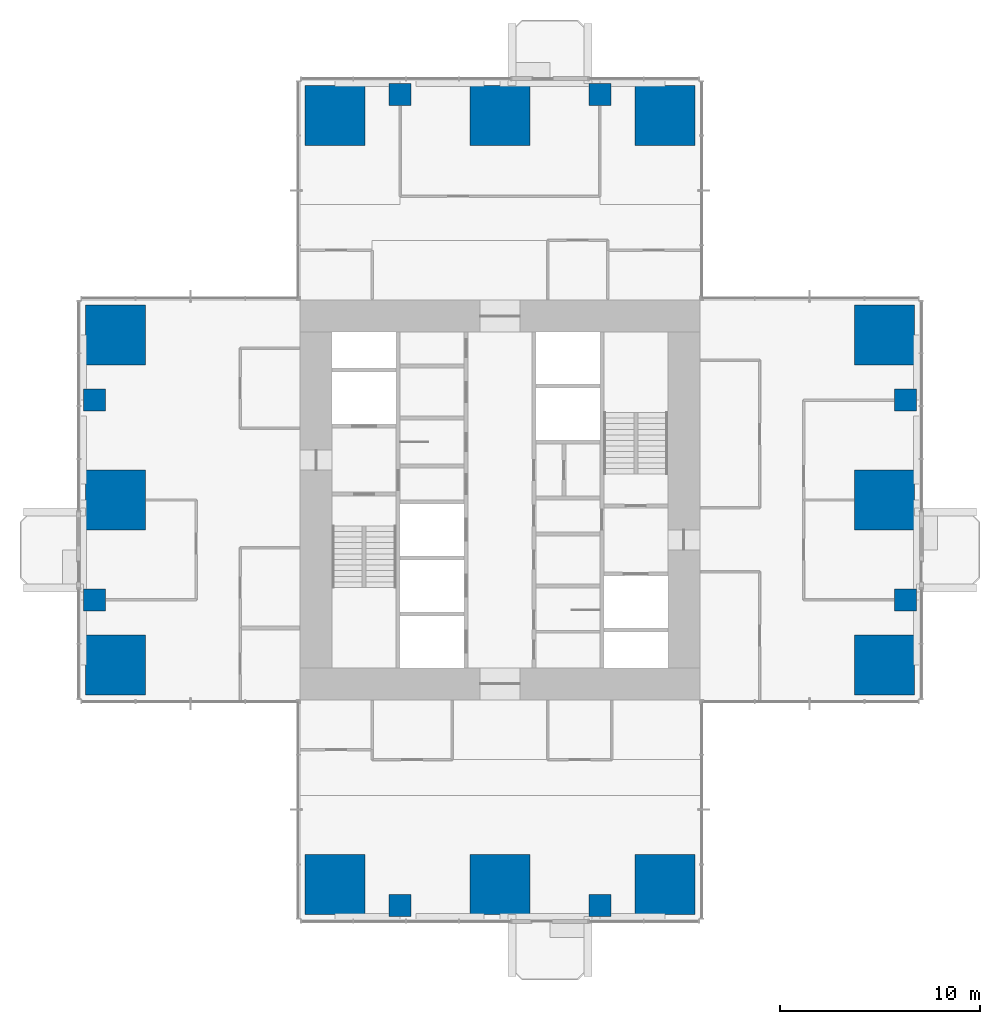
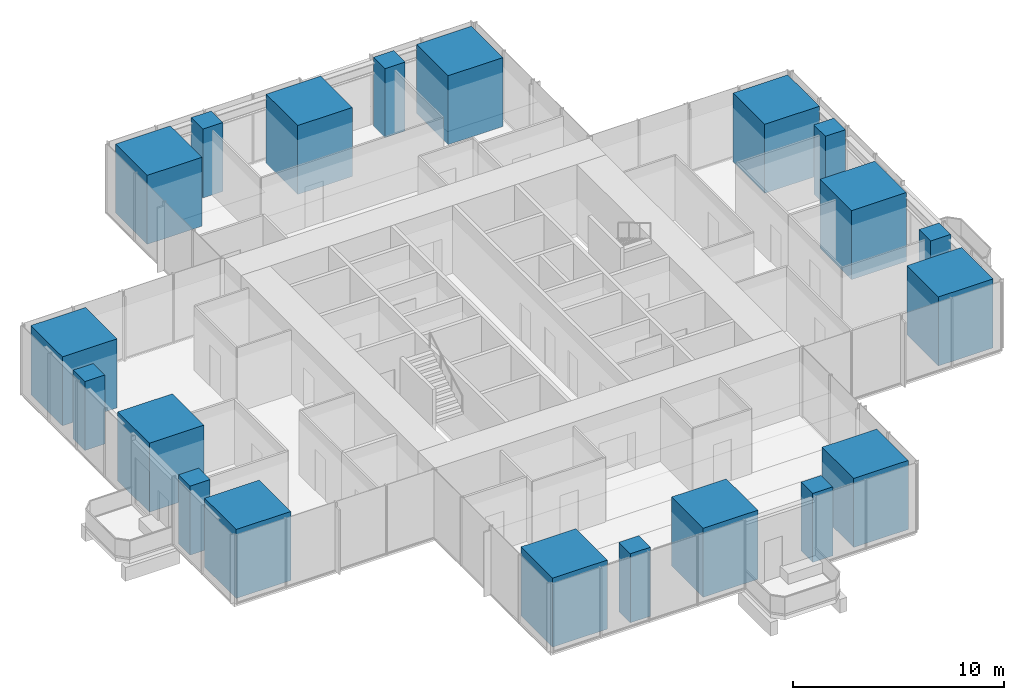
# One storey, part 1 of 13: 20 columns.
"""IFC4 building model written with IfcOpenShell, lengths in metres."""

from ifc_helpers import new_model, si_unit, direction, frame, origin, origin_2d, place, context, subcontext, project, spatial, rectangle, extrude, material, material_profile, profile_set, type_object, element, save


model = new_model("IFC4")

# Units and contexts
model_context = context("Model", 3, precision=1e-05, world=origin(), true_north=direction((0.0, 1.0)))
body_context = subcontext(model_context, "Body", "Model", "MODEL_VIEW")
ifc_project = project(units=[si_unit("LENGTHUNIT", "METRE"), si_unit("AREAUNIT", "SQUARE_METRE"), si_unit("VOLUMEUNIT", "CUBIC_METRE"), si_unit("PLANEANGLEUNIT", "RADIAN"), si_unit("MASSUNIT", "GRAM", prefix="KILO")], contexts=[model_context])

# Site, building, storey
site_placement = place(None, origin())
site = spatial("IfcSite", under=ifc_project, at=site_placement, CompositionType="ELEMENT")
building_placement = place(site_placement, origin())
building = spatial("IfcBuilding", under=site, at=building_placement, Name="Svetlomir Tower", CompositionType="ELEMENT")
storey_placement = place(building_placement, frame((0.0, 0.0, 136.5)))
storey = spatial("IfcBuildingStorey", under=building, at=storey_placement, Name="L32", CompositionType="ELEMENT", Elevation=136.5)

# Columns
ifc_material_1 = material(Name="Concrete C60/75", Category="concrete")
ifc_material_profile_1 = material_profile(ifc_material_1, rectangle(XDim=1.10009765625, YDim=1.10009765625, at=origin_2d()), Name="RC 1100x1100")
ifc_profile_set_1 = profile_set([ifc_material_profile_1], Name="Concrete C60/75")
column_type_1 = type_object("IfcColumnType", Name="COLUMN RC 1100x1100", PredefinedType="COLUMN", material=ifc_profile_set_1)
for number, where, z_axis, x_axis, name in (
    (1, (16.0, 0.699951171875, 0.0), (0.0, 0.0, 1.0), (1.0, 0.0, 0.0), "Column 16/0 L32"),
    (2, (26.0, 0.699951171875, 0.0), (0.0, 0.0, 1.0), (1.0, 0.0, 0.0), "Column 26/0 L32"),
    (3, (0.699951171875, 16.0, 0.0), (0.0, 0.0, 1.0), (1.0, 0.0, 0.0), "Column 0/16 L32"),
    (4, (41.300048828125, 16.0, 0.0), (0.0, 0.0, 1.0), (1.0, 0.0, 0.0), "Column 42/16 L32"),
    (5, (0.699951171875, 26.0, 0.0), (0.0, 0.0, 1.0), (1.0, 0.0, 0.0), "Column 0/26 L32"),
    (6, (41.300048828125, 26.0, 0.0), (0.0, 0.0, 1.0), (1.0, 0.0, 0.0), "Column 42/26 L32"),
    (7, (16.0, 41.300048828125, 0.0), (0.0, 0.0, 1.0), (1.0, 0.0, 0.0), "Column 16/42 L32"),
    (8, (26.0, 41.300048828125, 0.0), (0.0, 0.0, 1.0), (1.0, 0.0, 0.0), "Column 26/42 L32"),
):
    element("IfcColumn", number, at=place(storey_placement, frame(where, z_axis=z_axis, x_axis=x_axis)), inside=storey, type_object=column_type_1, Name=name, PredefinedType="COLUMN", context=body_context, shape_type="SweptSolid", body=[
        extrude(rectangle(XDim=1.10009765625, YDim=1.10009765625, at=origin_2d()), origin(), (0.0, 0.0, 1.0), 4.0),
    ])
ifc_material_2 = material(Name="Concrete C60/75", Category="concrete")
ifc_material_profile_2 = material_profile(ifc_material_2, rectangle(XDim=3.0, YDim=3.0, at=origin_2d()), Name="RC 3000x3000")
ifc_profile_set_2 = profile_set([ifc_material_profile_2], Name="Concrete C60/75")
column_type_2 = type_object("IfcColumnType", Name="COLUMN RC 3000x3000", PredefinedType="COLUMN", material=ifc_profile_set_2)
for number, where, z_axis, x_axis, name in (
    (9, (12.75, 1.75, 0.0), (0.0, 0.0, 1.0), (1.0, 0.0, 0.0), "Column 11/0 L32"),
    (10, (21.0, 1.75, 0.0), (0.0, 0.0, 1.0), (1.0, 0.0, 0.0), "Column 21/0 L32"),
    (11, (29.25, 1.75, 0.0), (0.0, 0.0, 1.0), (1.0, 0.0, 0.0), "Column 31/0 L32"),
    (12, (1.75, 12.75, 0.0), (0.0, 0.0, 1.0), (1.0, 0.0, 0.0), "Column 0/11 L32"),
    (13, (40.25, 12.75, 0.0), (0.0, 0.0, 1.0), (1.0, 0.0, 0.0), "Column 42/11 L32"),
    (14, (1.75, 21.0, 0.0), (0.0, 0.0, 1.0), (1.0, 0.0, 0.0), "Column 0/21 L32"),
    (15, (40.25, 21.0, 0.0), (0.0, 0.0, 1.0), (1.0, 0.0, 0.0), "Column 42/21 L32"),
    (16, (1.75, 29.25, 0.0), (0.0, 0.0, 1.0), (1.0, 0.0, 0.0), "Column 0/31 L32"),
    (17, (40.25, 29.25, 0.0), (0.0, 0.0, 1.0), (1.0, 0.0, 0.0), "Column 42/31 L32"),
    (18, (12.75, 40.25, 0.0), (0.0, 0.0, 1.0), (1.0, 0.0, 0.0), "Column 11/42 L32"),
    (19, (21.0, 40.25, 0.0), (0.0, 0.0, 1.0), (1.0, 0.0, 0.0), "Column 21/42 L32"),
    (20, (29.25, 40.25, 0.0), (0.0, 0.0, 1.0), (1.0, 0.0, 0.0), "Column 31/42 L32"),
):
    element("IfcColumn", number, at=place(storey_placement, frame(where, z_axis=z_axis, x_axis=x_axis)), inside=storey, type_object=column_type_2, Name=name, PredefinedType="COLUMN", context=body_context, shape_type="SweptSolid", body=[
        extrude(rectangle(XDim=3.0, YDim=3.0, at=origin_2d()), origin(), (0.0, 0.0, 1.0), 4.0),
    ])

save(model, "model.ifc")
